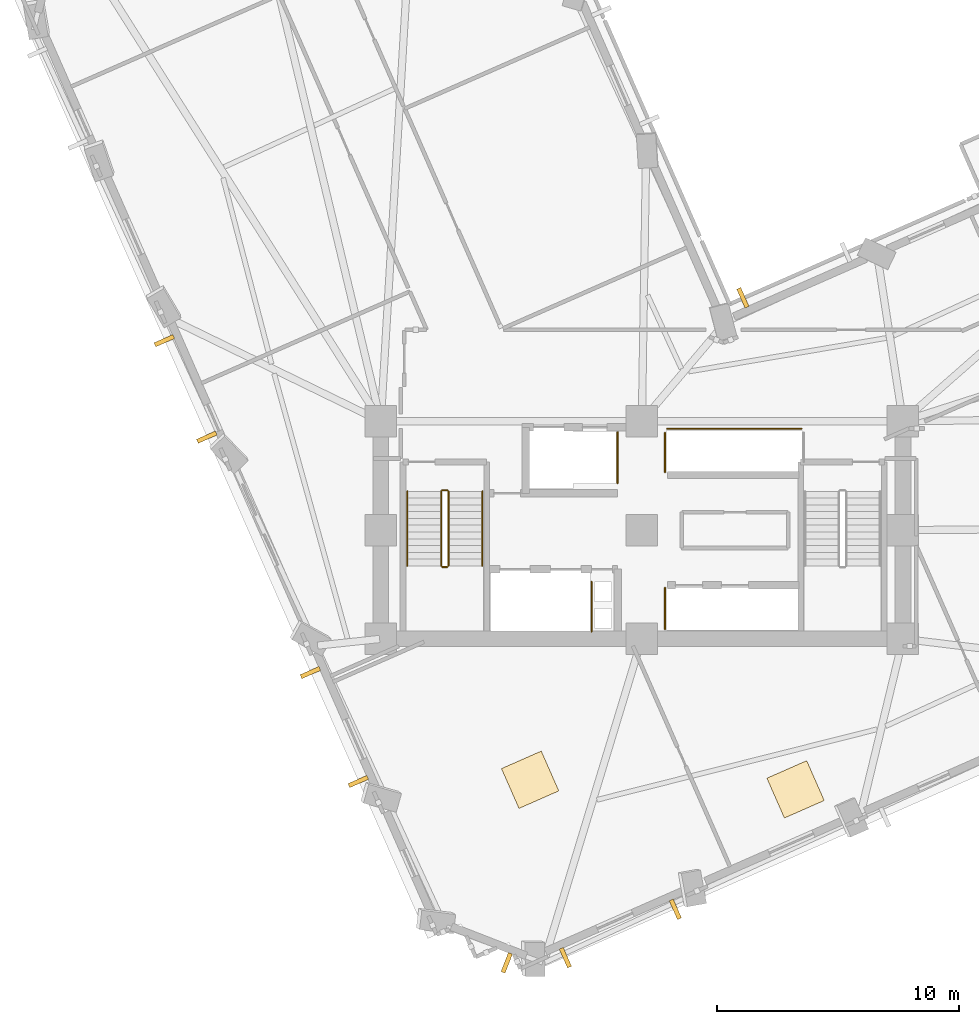
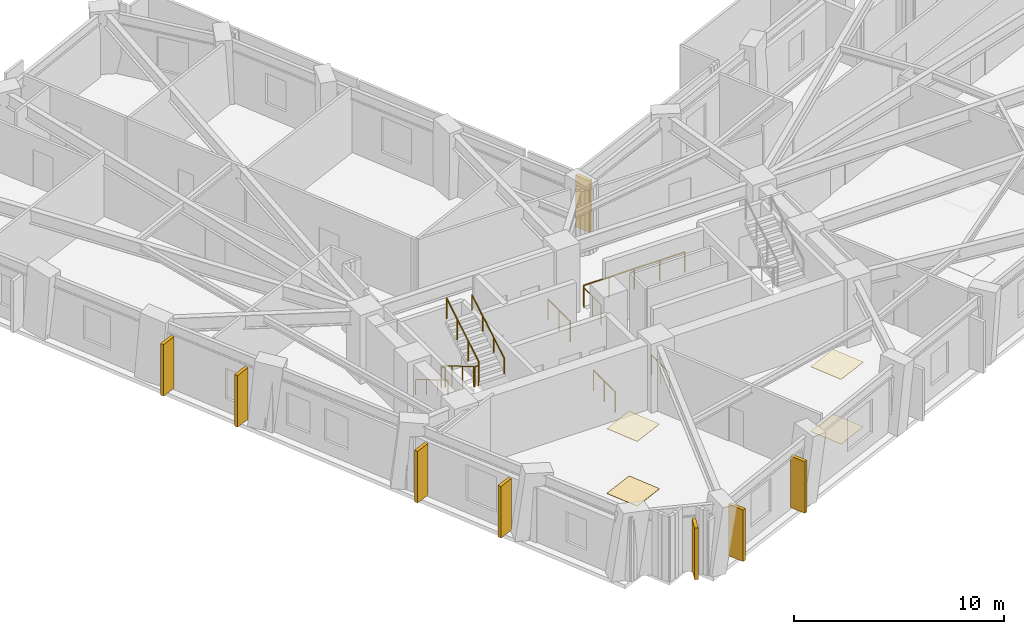
# One storey, part 11 of 15: 11 railings, 8 shading devices, 4 coverings.
"""IFC4 building model written with IfcOpenShell, lengths in metres."""

from ifc_helpers import new_model, si_unit, direction, frame, origin, origin_2d, place, context, subcontext, project, spatial, rectangle, circle, extrude, material, layer, layer_set, type_object, element, save


model = new_model("IFC4")

# Units and contexts
model_context = context("Model", 3, precision=1e-05, world=origin(), true_north=direction((0.0, 1.0)))
body_context = subcontext(model_context, "Body", "Model", "MODEL_VIEW")
ifc_project = project(units=[si_unit("LENGTHUNIT", "METRE"), si_unit("AREAUNIT", "SQUARE_METRE"), si_unit("VOLUMEUNIT", "CUBIC_METRE"), si_unit("PLANEANGLEUNIT", "RADIAN"), si_unit("MASSUNIT", "GRAM", prefix="KILO")], contexts=[model_context])

# Site, building, storey
site_placement = place(None, origin())
site = spatial("IfcSite", under=ifc_project, at=site_placement, CompositionType="ELEMENT")
building_placement = place(site_placement, origin())
building = spatial("IfcBuilding", under=site, at=building_placement, Name="Gaonmaruhae Medical Tower", CompositionType="ELEMENT")
storey_placement = place(building_placement, frame((0.0, 0.0, 124.39990234375)))
storey = spatial("IfcBuildingStorey", under=building, at=storey_placement, Name="L29", CompositionType="ELEMENT", Elevation=124.39990234375)

# Coverings
ifc_material_1 = material(Name="Acoustic mineral ceiling tile", Category="finish")
ifc_layer_1 = layer(ifc_material_1, 0.02490234375)
ifc_layer_set_1 = layer_set([ifc_layer_1], Name="Acoustic mineral ceiling tile")
covering_type_1 = type_object("IfcCoveringType", Name="CLG-01 Antimicrobial Acoustic Mineral Ceiling", PredefinedType="CEILING", material=ifc_layer_set_1)
for number, where, z_axis, x_axis, name in (
    (1, (20.177734375, 1.970703125, 3.755126953125), (0.0, 0.0, 1.0), (0.915311479119, 0.402746689859, 0.0), "L29 Clinical Room Acoustic Ceiling 2"),
    (2, (31.157470703125, 1.57373046875, 3.755126953125), (0.0, 0.0, 1.0), (0.915311479119, 0.402746689859, 0.0), "L29 Clinical Room Acoustic Ceiling 3"),
):
    element("IfcCovering", number, at=place(storey_placement, frame(where, z_axis=z_axis, x_axis=x_axis)), inside=storey, type_object=covering_type_1, Name=name, PredefinedType="CEILING", context=body_context, shape_type="SweptSolid", body=[
        extrude(rectangle(XDim=1.800048828125, YDim=1.800048828125, at=origin_2d()), origin(), (0.0, 0.0, 1.0), 0.02490234375),
    ])
ifc_material_2 = material(Name="Seamless clinical vinyl flooring", Category="finish")
ifc_layer_2 = layer(ifc_material_2, 0.014892578125)
ifc_layer_set_2 = layer_set([ifc_layer_2], Name="Seamless clinical vinyl flooring")
covering_type_2 = type_object("IfcCoveringType", Name="FLR-01 Seamless Clinical Antistatic Vinyl Flooring", PredefinedType="FLOORING", material=ifc_layer_set_2)
for number, where, z_axis, x_axis, name in (
    (3, (20.177734375, 1.970703125, 0.0), (0.0, 0.0, 1.0), (0.915311479119, 0.402746689859, 0.0), "L29 Clinical Room Vinyl Flooring 2"),
    (4, (31.157470703125, 1.57373046875, 0.0), (0.0, 0.0, 1.0), (0.915311479119, 0.402746689859, 0.0), "L29 Clinical Room Vinyl Flooring 3"),
):
    element("IfcCovering", number, at=place(storey_placement, frame(where, z_axis=z_axis, x_axis=x_axis)), inside=storey, type_object=covering_type_2, Name=name, PredefinedType="FLOORING", context=body_context, shape_type="SweptSolid", body=[
        extrude(rectangle(XDim=1.800048828125, YDim=1.800048828125, at=origin_2d()), origin(), (0.0, 0.0, 1.0), 0.014892578125),
    ])

# Railings
ifc_material_3 = material(Name="Stainless steel 304 handrail", Category="steel")
railing_type_1 = type_object("IfcRailingType", Name="HR-092 Continuous Stainless Steel Stair Handrail", PredefinedType="HANDRAIL", material=ifc_material_3)
railing_1_placement = place(storey_placement, frame((15.10009765625, 13.89990234375, 0.166748046875)))
element("IfcRailing", 5, at=railing_1_placement, inside=storey, type_object=railing_type_1, Name="L29 ST-01 stair handrail 1", PredefinedType="HANDRAIL", context=body_context, shape_type="SweptSolid", body=[
    extrude(circle(Radius=0.02392578125, at=origin_2d()), frame((0.0, 0.0, 0.8759765625), z_axis=(0.0, -0.859290745958, 0.51148745235), x_axis=(1.0, 0.0, 0.0)), (0.0, 0.0, 1.0), 3.584228515625),
    extrude(circle(Radius=0.02099609375, at=origin_2d()), origin(), (0.0, 0.0, 1.0), 0.851806640625),
    extrude(circle(Radius=0.02099609375, at=origin_2d()), frame((0.0, -1.026611328125, 0.611083984375)), (0.0, 0.0, 1.0), 0.851806640625),
    extrude(circle(Radius=0.02099609375, at=origin_2d()), frame((0.0, -2.05322265625, 1.22216796875)), (0.0, 0.0, 1.0), 0.851806640625),
    extrude(circle(Radius=0.02099609375, at=origin_2d()), frame((0.0, -3.079833984375, 1.833251953125)), (0.0, 0.0, 1.0), 0.851806640625),
])
railing_2_placement = place(storey_placement, frame((18.199951171875, 10.820068359375, 2.166748046875)))
element("IfcRailing", 6, at=railing_2_placement, inside=storey, type_object=railing_type_1, Name="L29 ST-01 stair handrail 2", PredefinedType="HANDRAIL", context=body_context, shape_type="SweptSolid", body=[
    extrude(circle(Radius=0.02392578125, at=origin_2d()), frame((0.0, 0.0, 0.8759765625), z_axis=(0.0, 0.859290745958, 0.51148745235), x_axis=(-1.0, 0.0, 0.0)), (0.0, 0.0, 1.0), 3.584228515625),
    extrude(circle(Radius=0.02099609375, at=origin_2d()), origin(), (0.0, 0.0, 1.0), 0.851806640625),
    extrude(circle(Radius=0.02099609375, at=origin_2d()), frame((0.0, 1.026611328125, 0.611083984375)), (0.0, 0.0, 1.0), 0.851806640625),
    extrude(circle(Radius=0.02099609375, at=origin_2d()), frame((0.0, 2.05322265625, 1.22216796875)), (0.0, 0.0, 1.0), 0.851806640625),
    extrude(circle(Radius=0.02099609375, at=origin_2d()), frame((0.0, 3.079833984375, 1.833251953125)), (0.0, 0.0, 1.0), 0.851806640625),
])

# Shading devices
ifc_material_4 = material(Name="Pigmented coral precast concrete C45/55", Category="concrete")
shading_device_type = type_object("IfcShadingDeviceType", Name="SD-FIN1 Tower Vertical Coral Precast Shading Fin", PredefinedType="USERDEFINED", material=ifc_material_4)
for number, where, z_axis, x_axis, name in (
    (7, (26.184814453125, -3.388671875, 0.08251953125), (0.0, 0.0, 1.0), (-0.915311479119, -0.402746689859, 0.0), "L29 Vertical Coral Precast Shading Fin S01"),
    (8, (21.6357421875, -5.390380859375, 0.08251953125), (0.0, 0.0, 1.0), (-0.915311479119, -0.402746689859, 0.0), "L29 Vertical Coral Precast Shading Fin S01B"),
    (9, (28.97802734375, 21.90869140625, 0.08251953125), (0.0, 0.0, 1.0), (0.915311479119, 0.402746689859, 0.0), "L29 Vertical Coral Precast Shading Fin EN03"),
    (10, (6.802490234375, 16.142578125, 0.08251953125), (0.0, 0.0, 1.0), (-0.402746689859, 0.915311479119, 0.0), "L29 Vertical Coral Precast Shading Fin W03"),
    (11, (5.04541015625, 20.13525390625, 0.08251953125), (0.0, 0.0, 1.0), (-0.402746689859, 0.915311479119, 0.0), "L29 Vertical Coral Precast Shading Fin W03B"),
    (12, (13.070068359375, 1.898193359375, 0.08251953125), (0.0, 0.0, 1.0), (-0.402746689859, 0.915311479119, 0.0), "L29 Vertical Coral Precast Shading Fin W05"),
    (13, (11.0869140625, 6.40478515625, 0.08251953125), (0.0, 0.0, 1.0), (-0.402746689859, 0.915311479119, 0.0), "L29 Vertical Coral Precast Shading Fin W05B"),
    (14, (19.20947265625, -5.60302734375, 0.08251953125), (0.0, 0.0, 1.0), (-0.932007869283, 0.362438038284, 0.0), "L29 Vertical Coral Precast Shading Fin W07"),
):
    element("IfcShadingDevice", number, at=place(storey_placement, frame(where, z_axis=z_axis, x_axis=x_axis)), inside=storey, type_object=shading_device_type, Name=name, ObjectType="FIN", PredefinedType="USERDEFINED", context=body_context, shape_type="SweptSolid", body=[
        extrude(rectangle(XDim=0.179931640625, YDim=0.85009765625, at=origin_2d()), origin(), (0.0, 0.0, 1.0), 3.0),
    ])

# Railings
ifc_material_5 = material(Name="Stainless steel 304 balustrade", Category="steel")
railing_type_2 = type_object("IfcRailingType", Name="SG-112 Stair Well & Ramp Void Safety Balustrade", PredefinedType="BALUSTRADE", material=ifc_material_5)
railing_3_placement = place(storey_placement, frame((16.5, 13.89990234375, 0.166748046875)))
element("IfcRailing", 15, at=railing_3_placement, inside=storey, type_object=railing_type_2, Name="L29 ST-01 stair guard 1", PredefinedType="BALUSTRADE", context=body_context, shape_type="SweptSolid", body=[
    extrude(circle(Radius=0.02392578125, at=origin_2d()), frame((0.0, 0.0, 1.17578125), z_axis=(0.0, -0.859290745958, 0.51148745235), x_axis=(1.0, 0.0, 0.0)), (0.0, 0.0, 1.0), 3.584228515625),
    extrude(circle(Radius=0.02099609375, at=origin_2d()), origin(), (0.0, 0.0, 1.0), 1.15185546875),
    extrude(circle(Radius=0.02099609375, at=origin_2d()), frame((0.0, -1.026611328125, 0.611083984375)), (0.0, 0.0, 1.0), 1.15185546875),
    extrude(circle(Radius=0.02099609375, at=origin_2d()), frame((0.0, -2.05322265625, 1.22216796875)), (0.0, 0.0, 1.0), 1.15185546875),
    extrude(circle(Radius=0.02099609375, at=origin_2d()), frame((0.0, -3.079833984375, 1.833251953125)), (0.0, 0.0, 1.0), 1.15185546875),
])
railing_4_placement = place(storey_placement, frame((16.550048828125, 10.77001953125, 2.0)))
element("IfcRailing", 16, at=railing_4_placement, inside=storey, type_object=railing_type_2, Name="L29 ST-01 stair guard 2", PredefinedType="BALUSTRADE", context=body_context, shape_type="SweptSolid", body=[
    extrude(circle(Radius=0.02392578125, at=origin_2d()), frame((0.0, 0.0, 1.17578125), z_axis=(1.0, 0.0, 0.0), x_axis=(0.0, 1.0, 0.0)), (0.0, 0.0, 1.0), 0.199951171875),
    extrude(circle(Radius=0.02099609375, at=origin_2d()), origin(), (0.0, 0.0, 1.0), 1.15185546875),
    extrude(circle(Radius=0.02099609375, at=origin_2d()), frame((0.199951171875, 0.0, 0.0)), (0.0, 0.0, 1.0), 1.15185546875),
])
railing_5_placement = place(storey_placement, frame((16.800048828125, 10.820068359375, 2.166748046875)))
element("IfcRailing", 17, at=railing_5_placement, inside=storey, type_object=railing_type_2, Name="L29 ST-01 stair guard 3", PredefinedType="BALUSTRADE", context=body_context, shape_type="SweptSolid", body=[
    extrude(circle(Radius=0.02392578125, at=origin_2d()), frame((0.0, 0.0, 1.17578125), z_axis=(0.0, 0.859290745958, 0.51148745235), x_axis=(-1.0, 0.0, 0.0)), (0.0, 0.0, 1.0), 3.584228515625),
    extrude(circle(Radius=0.02099609375, at=origin_2d()), origin(), (0.0, 0.0, 1.0), 1.15185546875),
    extrude(circle(Radius=0.02099609375, at=origin_2d()), frame((0.0, 1.026611328125, 0.611083984375)), (0.0, 0.0, 1.0), 1.15185546875),
    extrude(circle(Radius=0.02099609375, at=origin_2d()), frame((0.0, 2.05322265625, 1.22216796875)), (0.0, 0.0, 1.0), 1.15185546875),
    extrude(circle(Radius=0.02099609375, at=origin_2d()), frame((0.0, 3.079833984375, 1.833251953125)), (0.0, 0.0, 1.0), 1.15185546875),
])
railing_6_placement = place(storey_placement, frame((16.550048828125, 13.949951171875, 0.0)))
element("IfcRailing", 18, at=railing_6_placement, inside=storey, type_object=railing_type_2, Name="L29 ST-01 stair guard 4", PredefinedType="BALUSTRADE", context=body_context, shape_type="SweptSolid", body=[
    extrude(circle(Radius=0.02392578125, at=origin_2d()), frame((0.0, 0.0, 1.17578125), z_axis=(1.0, 0.0, 0.0), x_axis=(0.0, 1.0, 0.0)), (0.0, 0.0, 1.0), 0.199951171875),
    extrude(circle(Radius=0.02099609375, at=origin_2d()), origin(), (0.0, 0.0, 1.0), 1.15185546875),
    extrude(circle(Radius=0.02099609375, at=origin_2d()), frame((0.199951171875, 0.0, 0.0)), (0.0, 0.0, 1.0), 1.15185546875),
])
railing_7_placement = place(storey_placement, frame((25.7548828125, 8.195068359375, 0.0)))
element("IfcRailing", 19, at=railing_7_placement, inside=storey, type_object=railing_type_2, Name="L29 Shaft Edge Safety Guard 04", PredefinedType="BALUSTRADE", context=body_context, shape_type="SweptSolid", body=[
    extrude(circle(Radius=0.02392578125, at=origin_2d()), frame((0.0, 0.0, 1.17578125), z_axis=(0.0, 1.0, 0.0), x_axis=(-1.0, 0.0, 0.0)), (0.0, 0.0, 1.0), 1.7099609375),
    extrude(circle(Radius=0.02099609375, at=origin_2d()), origin(), (0.0, 0.0, 1.0), 1.15185546875),
    extrude(circle(Radius=0.02099609375, at=origin_2d()), frame((0.0, 0.85498046875, 0.0)), (0.0, 0.0, 1.0), 1.15185546875),
    extrude(circle(Radius=0.02099609375, at=origin_2d()), frame((0.0, 1.7099609375, 0.0)), (0.0, 0.0, 1.0), 1.15185546875),
])
railing_8_placement = place(storey_placement, frame((22.719970703125, 10.159912109375, 0.0)))
element("IfcRailing", 20, at=railing_8_placement, inside=storey, type_object=railing_type_2, Name="L29 Shaft Edge Safety Guard 05", PredefinedType="BALUSTRADE", context=body_context, shape_type="SweptSolid", body=[
    extrude(circle(Radius=0.02392578125, at=origin_2d()), frame((0.0, 0.0, 1.17578125), z_axis=(0.0, -1.0, 0.0), x_axis=(1.0, 0.0, 0.0)), (0.0, 0.0, 1.0), 2.06494140625),
    extrude(circle(Radius=0.02099609375, at=origin_2d()), origin(), (0.0, 0.0, 1.0), 1.15185546875),
    extrude(circle(Radius=0.02099609375, at=origin_2d()), frame((0.0, -1.032470703125, 0.0)), (0.0, 0.0, 1.0), 1.15185546875),
    extrude(circle(Radius=0.02099609375, at=origin_2d()), frame((0.0, -2.06494140625, 0.0)), (0.0, 0.0, 1.0), 1.15185546875),
])
railing_9_placement = place(storey_placement, frame((23.794921875, 16.35498046875, 0.0)))
element("IfcRailing", 21, at=railing_9_placement, inside=storey, type_object=railing_type_2, Name="L29 Shaft Edge Safety Guard 06", PredefinedType="BALUSTRADE", context=body_context, shape_type="SweptSolid", body=[
    extrude(circle(Radius=0.02392578125, at=origin_2d()), frame((0.0, 0.0, 1.17578125), z_axis=(0.0, -1.0, 0.0), x_axis=(1.0, 0.0, 0.0)), (0.0, 0.0, 1.0), 2.10986328125),
    extrude(circle(Radius=0.02099609375, at=origin_2d()), origin(), (0.0, 0.0, 1.0), 1.15185546875),
    extrude(circle(Radius=0.02099609375, at=origin_2d()), frame((0.0, -1.054931640625, 0.0)), (0.0, 0.0, 1.0), 1.15185546875),
    extrude(circle(Radius=0.02099609375, at=origin_2d()), frame((0.0, -2.10986328125, 0.0)), (0.0, 0.0, 1.0), 1.15185546875),
])
railing_10_placement = place(storey_placement, frame((25.844970703125, 16.4951171875, 0.0)))
element("IfcRailing", 22, at=railing_10_placement, inside=storey, type_object=railing_type_2, Name="L29 Shaft Edge Safety Guard 07", PredefinedType="BALUSTRADE", context=body_context, shape_type="SweptSolid", body=[
    extrude(circle(Radius=0.02392578125, at=origin_2d()), frame((0.0, 0.0, 1.17578125), z_axis=(1.0, 0.0, 0.0), x_axis=(0.0, 1.0, 0.0)), (0.0, 0.0, 1.0), 5.56005859375),
    extrude(circle(Radius=0.02099609375, at=origin_2d()), origin(), (0.0, 0.0, 1.0), 1.15185546875),
    extrude(circle(Radius=0.02099609375, at=origin_2d()), frame((1.39013671875, 0.0, 0.0)), (0.0, 0.0, 1.0), 1.15185546875),
    extrude(circle(Radius=0.02099609375, at=origin_2d()), frame((2.780029296875, 0.0, 0.0)), (0.0, 0.0, 1.0), 1.15185546875),
    extrude(circle(Radius=0.02099609375, at=origin_2d()), frame((4.169921875, 0.0, 0.0)), (0.0, 0.0, 1.0), 1.15185546875),
    extrude(circle(Radius=0.02099609375, at=origin_2d()), frame((5.56005859375, 0.0, 0.0)), (0.0, 0.0, 1.0), 1.15185546875),
])
railing_11_placement = place(storey_placement, frame((25.7548828125, 14.695068359375, 0.0)))
element("IfcRailing", 23, at=railing_11_placement, inside=storey, type_object=railing_type_2, Name="L29 Shaft Edge Safety Guard 09", PredefinedType="BALUSTRADE", context=body_context, shape_type="SweptSolid", body=[
    extrude(circle(Radius=0.02392578125, at=origin_2d()), frame((0.0, 0.0, 1.17578125), z_axis=(0.0, 1.0, 0.0), x_axis=(-1.0, 0.0, 0.0)), (0.0, 0.0, 1.0), 1.635009765625),
    extrude(circle(Radius=0.02099609375, at=origin_2d()), origin(), (0.0, 0.0, 1.0), 1.15185546875),
    extrude(circle(Radius=0.02099609375, at=origin_2d()), frame((0.0, 0.8173828125, 0.0)), (0.0, 0.0, 1.0), 1.15185546875),
    extrude(circle(Radius=0.02099609375, at=origin_2d()), frame((0.0, 1.635009765625, 0.0)), (0.0, 0.0, 1.0), 1.15185546875),
])

save(model, "model.ifc")
